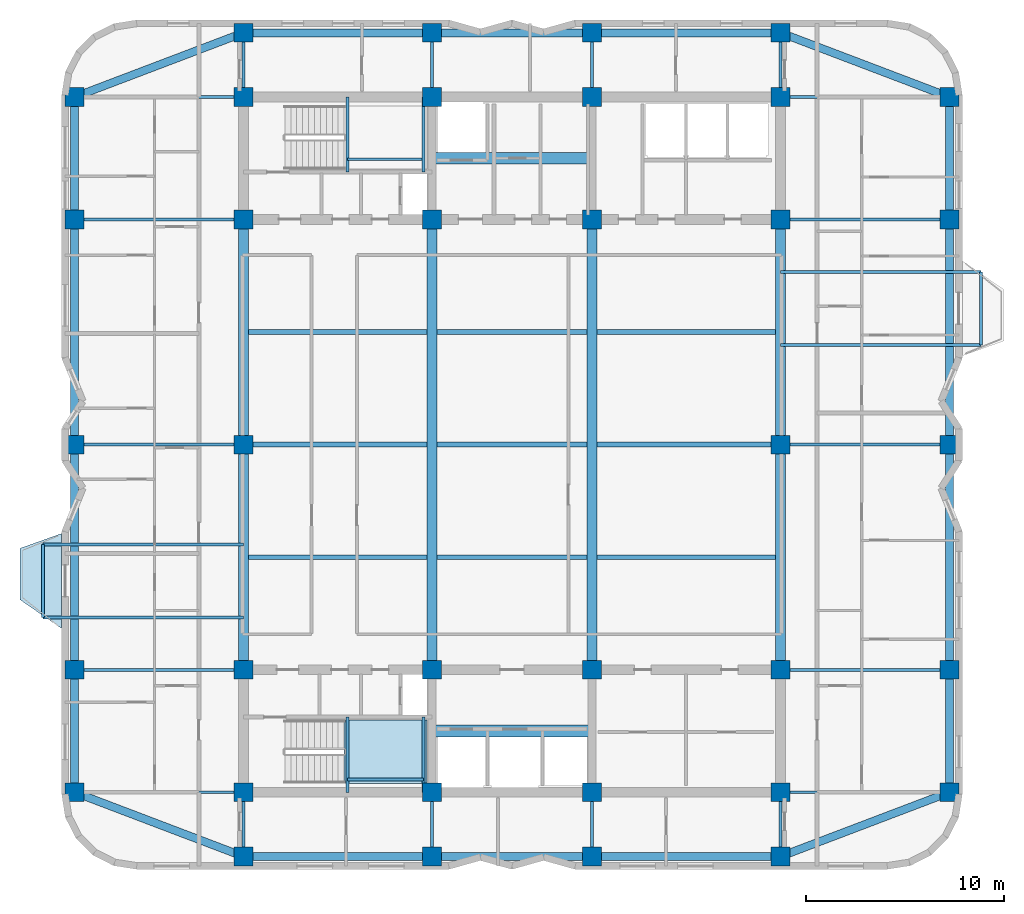
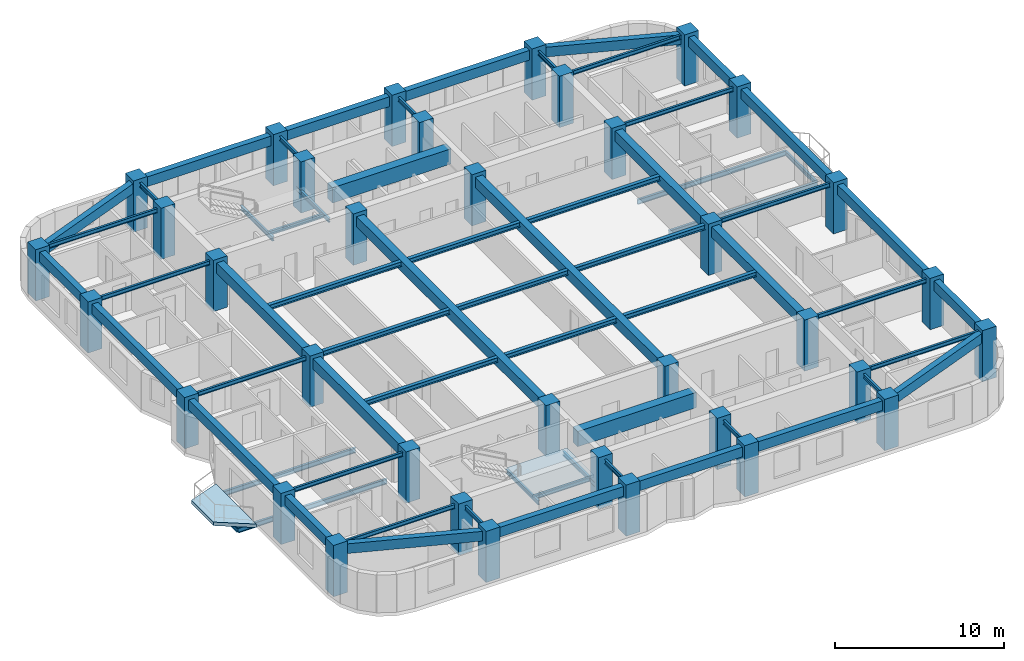
# One storey, part 1 of 9: 65 beams, 36 columns, 2 slabs, 1 element without a shape of its own.
"""IFC4 building model written with IfcOpenShell, lengths in metres."""

from ifc_helpers import new_model, si_unit, direction, frame, origin, origin_2d, place, context, subcontext, project, spatial, polyline, rectangle, i_section, outline, extrude, material, layer, layer_set, material_profile, profile_set, type_object, element, aggregate, save


model = new_model("IFC4")

# Units and contexts
model_context = context("Model", 3, precision=1e-05, world=origin(), true_north=direction((0.0, 1.0)))
body_context = subcontext(model_context, "Body", "Model", "MODEL_VIEW")
ifc_project = project(units=[si_unit("LENGTHUNIT", "METRE"), si_unit("AREAUNIT", "SQUARE_METRE"), si_unit("VOLUMEUNIT", "CUBIC_METRE"), si_unit("PLANEANGLEUNIT", "RADIAN"), si_unit("MASSUNIT", "GRAM", prefix="KILO")], contexts=[model_context])

# Site, building, storey
site_placement = place(None, origin())
site = spatial("IfcSite", under=ifc_project, at=site_placement, CompositionType="ELEMENT")
building_placement = place(site_placement, origin())
building = spatial("IfcBuilding", under=site, at=building_placement, Name="Svetorya Sky Lyceum", CompositionType="ELEMENT")
storey_placement = place(building_placement, frame((0.0, 0.0, 162.60009765625)))
storey = spatial("IfcBuildingStorey", under=building, at=storey_placement, Name="L40", CompositionType="ELEMENT", Elevation=162.60009765625)

# Columns
ifc_material_1 = material(Name="Concrete C50/60", Category="concrete")
ifc_material_profile_1 = material_profile(ifc_material_1, rectangle(XDim=0.949951171875, YDim=0.949951171875, at=origin_2d()), Name="RC COL 950x950")
ifc_profile_set_1 = profile_set([ifc_material_profile_1], Name="Concrete C50/60")
column_type = type_object("IfcColumnType", Name="COL-RC-950", PredefinedType="COLUMN", material=ifc_profile_set_1)
for number, where, z_axis, x_axis, name in (
    (1, (25.60009765625, 10.60009765625, 0.0), (0.0, 0.0, 1.0), (1.0, 0.0, 0.0), "L40 Core Column CS-11"),
    (2, (25.60009765625, 16.800048828125, 0.0), (0.0, 0.0, 1.0), (1.0, 0.0, 0.0), "L40 Core Column CS-12"),
    (3, (35.14990234375, 10.60009765625, 0.0), (0.0, 0.0, 1.0), (1.0, 0.0, 0.0), "L40 Core Column CS-21"),
    (4, (35.14990234375, 16.800048828125, 0.0), (0.0, 0.0, 1.0), (1.0, 0.0, 0.0), "L40 Core Column CS-22"),
    (5, (43.25, 10.60009765625, 0.0), (0.0, 0.0, 1.0), (1.0, 0.0, 0.0), "L40 Core Column CS-31"),
    (6, (43.25, 16.800048828125, 0.0), (0.0, 0.0, 1.0), (1.0, 0.0, 0.0), "L40 Core Column CS-32"),
    (7, (52.800048828125, 10.60009765625, 0.0), (0.0, 0.0, 1.0), (1.0, 0.0, 0.0), "L40 Core Column CS-41"),
    (8, (52.800048828125, 16.800048828125, 0.0), (0.0, 0.0, 1.0), (1.0, 0.0, 0.0), "L40 Core Column CS-42"),
    (9, (25.60009765625, 39.60009765625, 0.0), (0.0, 0.0, 1.0), (1.0, 0.0, 0.0), "L40 Core Column CN-11"),
    (10, (25.60009765625, 45.800048828125, 0.0), (0.0, 0.0, 1.0), (1.0, 0.0, 0.0), "L40 Core Column CN-12"),
    (11, (35.14990234375, 39.60009765625, 0.0), (0.0, 0.0, 1.0), (1.0, 0.0, 0.0), "L40 Core Column CN-21"),
    (12, (35.14990234375, 45.800048828125, 0.0), (0.0, 0.0, 1.0), (1.0, 0.0, 0.0), "L40 Core Column CN-22"),
    (13, (43.25, 39.60009765625, 0.0), (0.0, 0.0, 1.0), (1.0, 0.0, 0.0), "L40 Core Column CN-31"),
    (14, (43.25, 45.800048828125, 0.0), (0.0, 0.0, 1.0), (1.0, 0.0, 0.0), "L40 Core Column CN-32"),
    (15, (52.800048828125, 39.60009765625, 0.0), (0.0, 0.0, 1.0), (1.0, 0.0, 0.0), "L40 Core Column CN-41"),
    (16, (52.800048828125, 45.800048828125, 0.0), (0.0, 0.0, 1.0), (1.0, 0.0, 0.0), "L40 Core Column CN-42"),
    (17, (25.60009765625, 28.199951171875, 0.0), (0.0, 0.0, 1.0), (1.0, 0.0, 0.0), "L40 Core Column CM-W"),
    (18, (52.800048828125, 28.199951171875, 0.0), (0.0, 0.0, 1.0), (1.0, 0.0, 0.0), "L40 Core Column CM-E"),
    (19, (25.60009765625, 7.35009765625, 0.0), (0.0, 0.0, 1.0), (1.0, 0.0, 0.0), "L40 Perimeter Column S1"),
    (20, (25.60009765625, 49.050048828125, 0.0), (0.0, 0.0, 1.0), (1.0, 0.0, 0.0), "L40 Perimeter Column N1"),
    (21, (35.14990234375, 7.35009765625, 0.0), (0.0, 0.0, 1.0), (1.0, 0.0, 0.0), "L40 Perimeter Column S2"),
    (22, (35.14990234375, 49.050048828125, 0.0), (0.0, 0.0, 1.0), (1.0, 0.0, 0.0), "L40 Perimeter Column N2"),
    (23, (43.25, 7.35009765625, 0.0), (0.0, 0.0, 1.0), (1.0, 0.0, 0.0), "L40 Perimeter Column S3"),
    (24, (43.25, 49.050048828125, 0.0), (0.0, 0.0, 1.0), (1.0, 0.0, 0.0), "L40 Perimeter Column N3"),
    (25, (52.800048828125, 7.35009765625, 0.0), (0.0, 0.0, 1.0), (1.0, 0.0, 0.0), "L40 Perimeter Column S4"),
    (26, (52.800048828125, 49.050048828125, 0.0), (0.0, 0.0, 1.0), (1.0, 0.0, 0.0), "L40 Perimeter Column N4"),
    (27, (17.050048828125, 10.60009765625, 0.0), (0.0, 0.0, 1.0), (1.0, 0.0, 0.0), "L40 Perimeter Column W1"),
    (28, (61.35009765625, 10.60009765625, 0.0), (0.0, 0.0, 1.0), (1.0, 0.0, 0.0), "L40 Perimeter Column E1"),
    (29, (17.050048828125, 16.800048828125, 0.0), (0.0, 0.0, 1.0), (1.0, 0.0, 0.0), "L40 Perimeter Column W2"),
    (30, (61.35009765625, 16.800048828125, 0.0), (0.0, 0.0, 1.0), (1.0, 0.0, 0.0), "L40 Perimeter Column E2"),
    (31, (17.050048828125, 28.199951171875, 0.0), (0.0, 0.0, 1.0), (1.0, 0.0, 0.0), "L40 Perimeter Column W3"),
    (32, (61.35009765625, 28.199951171875, 0.0), (0.0, 0.0, 1.0), (1.0, 0.0, 0.0), "L40 Perimeter Column E3"),
    (33, (17.050048828125, 39.60009765625, 0.0), (0.0, 0.0, 1.0), (1.0, 0.0, 0.0), "L40 Perimeter Column W4"),
    (34, (61.35009765625, 39.60009765625, 0.0), (0.0, 0.0, 1.0), (1.0, 0.0, 0.0), "L40 Perimeter Column E4"),
    (35, (17.050048828125, 45.800048828125, 0.0), (0.0, 0.0, 1.0), (1.0, 0.0, 0.0), "L40 Perimeter Column W5"),
    (36, (61.35009765625, 45.800048828125, 0.0), (0.0, 0.0, 1.0), (1.0, 0.0, 0.0), "L40 Perimeter Column E5"),
):
    element("IfcColumn", number, at=place(storey_placement, frame(where, z_axis=z_axis, x_axis=x_axis)), inside=storey, type_object=column_type, Name=name, PredefinedType="COLUMN", context=body_context, shape_type="SweptSolid", body=[
        extrude(rectangle(XDim=0.949951171875, YDim=0.949951171875, at=origin_2d()), origin(), (0.0, 0.0, 1.0), 3.699951171875),
    ])

# Beams
ifc_material_2 = material(Name="Concrete C60/75", Category="concrete")
ifc_material_profile_2 = material_profile(ifc_material_2, rectangle(XDim=0.60009765625, YDim=1.10009765625, at=origin_2d()), Name="RC COUPLING 600x1100")
ifc_profile_set_2 = profile_set([ifc_material_profile_2], Name="Concrete C60/75")
beam_type_1 = type_object("IfcBeamType", Name="BM-CPL-1100", PredefinedType="LINTEL", material=ifc_profile_set_2)
for number, where, z_axis, x_axis, name in (
    (37, (35.14990234375, 13.699951171875, 2.889892578125), (1.0, 0.0, 0.0), (0.0, 1.0, 0.0), "L40 SC Core Coupling Beam"),
    (38, (35.14990234375, 42.699951171875, 2.889892578125), (1.0, 0.0, 0.0), (0.0, 1.0, 0.0), "L40 NC Core Coupling Beam"),
):
    element("IfcBeam", number, at=place(storey_placement, frame(where, z_axis=z_axis, x_axis=x_axis)), inside=storey, type_object=beam_type_1, Name=name, PredefinedType="LINTEL", context=body_context, shape_type="SweptSolid", body=[
        extrude(rectangle(XDim=0.60009765625, YDim=1.10009765625, at=origin_2d()), origin(), (0.0, 0.0, 1.0), 8.10009765625),
    ])
ifc_material_profile_3 = material_profile(ifc_material_1, rectangle(XDim=0.5, YDim=0.75, at=origin_2d()), Name="RC BEAM 500x750")
ifc_profile_set_3 = profile_set([ifc_material_profile_3], Name="Concrete C50/60")
beam_type_2 = type_object("IfcBeamType", Name="BM-RC-750", PredefinedType="BEAM", material=ifc_profile_set_3)
beam_1_placement = place(storey_placement, frame((25.60009765625, 16.800048828125, 3.06494140625), z_axis=(0.0, 1.0, 0.0), x_axis=(-1.0, 0.0, 0.0)))
element("IfcBeam", 39, at=beam_1_placement, inside=storey, type_object=beam_type_2, Name="L40 Central Bay Primary Girder CG-1A", PredefinedType="BEAM", context=body_context, shape_type="SweptSolid", body=[
    extrude(rectangle(XDim=0.5, YDim=0.75, at=origin_2d()), origin(), (0.0, 0.0, 1.0), 11.39990234375),
])
beam_2_placement = place(storey_placement, frame((25.60009765625, 28.199951171875, 3.06494140625), z_axis=(0.0, 1.0, 0.0), x_axis=(-1.0, 0.0, 0.0)))
element("IfcBeam", 40, at=beam_2_placement, inside=storey, type_object=beam_type_2, Name="L40 Central Bay Primary Girder CG-1B", PredefinedType="BEAM", context=body_context, shape_type="SweptSolid", body=[
    extrude(rectangle(XDim=0.5, YDim=0.75, at=origin_2d()), origin(), (0.0, 0.0, 1.0), 11.400146484375),
])
for number, where, z_axis, x_axis, name in (
    (41, (35.14990234375, 16.800048828125, 3.06494140625), (0.0, 1.0, 0.0), (-1.0, 0.0, 0.0), "L40 Central Bay Primary Girder CG-2"),
    (42, (43.25, 16.800048828125, 3.06494140625), (0.0, 1.0, 0.0), (-1.0, 0.0, 0.0), "L40 Central Bay Primary Girder CG-3"),
):
    element("IfcBeam", number, at=place(storey_placement, frame(where, z_axis=z_axis, x_axis=x_axis)), inside=storey, type_object=beam_type_2, Name=name, PredefinedType="BEAM", context=body_context, shape_type="SweptSolid", body=[
        extrude(rectangle(XDim=0.5, YDim=0.75, at=origin_2d()), origin(), (0.0, 0.0, 1.0), 22.800048828125),
    ])
beam_3_placement = place(storey_placement, frame((52.800048828125, 16.800048828125, 3.06494140625), z_axis=(0.0, 1.0, 0.0), x_axis=(-1.0, 0.0, 0.0)))
element("IfcBeam", 43, at=beam_3_placement, inside=storey, type_object=beam_type_2, Name="L40 Central Bay Primary Girder CG-4A", PredefinedType="BEAM", context=body_context, shape_type="SweptSolid", body=[
    extrude(rectangle(XDim=0.5, YDim=0.75, at=origin_2d()), origin(), (0.0, 0.0, 1.0), 11.39990234375),
])
beam_4_placement = place(storey_placement, frame((52.800048828125, 28.199951171875, 3.06494140625), z_axis=(0.0, 1.0, 0.0), x_axis=(-1.0, 0.0, 0.0)))
element("IfcBeam", 44, at=beam_4_placement, inside=storey, type_object=beam_type_2, Name="L40 Central Bay Primary Girder CG-4B", PredefinedType="BEAM", context=body_context, shape_type="SweptSolid", body=[
    extrude(rectangle(XDim=0.5, YDim=0.75, at=origin_2d()), origin(), (0.0, 0.0, 1.0), 11.400146484375),
])
ifc_material_profile_4 = material_profile(ifc_material_1, rectangle(XDim=0.39990234375, YDim=0.699951171875, at=origin_2d()), Name="RC SPANDREL 400x700")
ifc_profile_set_4 = profile_set([ifc_material_profile_4], Name="Concrete C50/60")
beam_type_3 = type_object("IfcBeamType", Name="BM-SPN-700", PredefinedType="SPANDREL", material=ifc_profile_set_4)
beam_5_placement = place(storey_placement, frame((25.60009765625, 7.35009765625, 3.08984375), z_axis=(1.0, 0.0, 0.0), x_axis=(0.0, 1.0, 0.0)))
element("IfcBeam", 45, at=beam_5_placement, inside=storey, type_object=beam_type_3, Name="L40 South Spandrel 1", PredefinedType="SPANDREL", context=body_context, shape_type="SweptSolid", body=[
    extrude(rectangle(XDim=0.39990234375, YDim=0.699951171875, at=origin_2d()), origin(), (0.0, 0.0, 1.0), 9.5498046875),
])
beam_6_placement = place(storey_placement, frame((35.14990234375, 7.35009765625, 3.08984375), z_axis=(1.0, 0.0, 0.0), x_axis=(0.0, 1.0, 0.0)))
element("IfcBeam", 46, at=beam_6_placement, inside=storey, type_object=beam_type_3, Name="L40 South Spandrel 2", PredefinedType="SPANDREL", context=body_context, shape_type="SweptSolid", body=[
    extrude(rectangle(XDim=0.39990234375, YDim=0.699951171875, at=origin_2d()), origin(), (0.0, 0.0, 1.0), 8.10009765625),
])
beam_7_placement = place(storey_placement, frame((43.25, 7.35009765625, 3.08984375), z_axis=(1.0, 0.0, 0.0), x_axis=(0.0, 1.0, 0.0)))
element("IfcBeam", 47, at=beam_7_placement, inside=storey, type_object=beam_type_3, Name="L40 South Spandrel 3", PredefinedType="SPANDREL", context=body_context, shape_type="SweptSolid", body=[
    extrude(rectangle(XDim=0.39990234375, YDim=0.699951171875, at=origin_2d()), origin(), (0.0, 0.0, 1.0), 9.550048828125),
])
beam_8_placement = place(storey_placement, frame((25.60009765625, 49.050048828125, 3.08984375), z_axis=(1.0, 0.0, 0.0), x_axis=(0.0, 1.0, 0.0)))
element("IfcBeam", 48, at=beam_8_placement, inside=storey, type_object=beam_type_3, Name="L40 North Spandrel 1", PredefinedType="SPANDREL", context=body_context, shape_type="SweptSolid", body=[
    extrude(rectangle(XDim=0.39990234375, YDim=0.699951171875, at=origin_2d()), origin(), (0.0, 0.0, 1.0), 9.5498046875),
])
beam_9_placement = place(storey_placement, frame((35.14990234375, 49.050048828125, 3.08984375), z_axis=(1.0, 0.0, 0.0), x_axis=(0.0, 1.0, 0.0)))
element("IfcBeam", 49, at=beam_9_placement, inside=storey, type_object=beam_type_3, Name="L40 North Spandrel 2", PredefinedType="SPANDREL", context=body_context, shape_type="SweptSolid", body=[
    extrude(rectangle(XDim=0.39990234375, YDim=0.699951171875, at=origin_2d()), origin(), (0.0, 0.0, 1.0), 8.10009765625),
])
beam_10_placement = place(storey_placement, frame((43.25, 49.050048828125, 3.08984375), z_axis=(1.0, 0.0, 0.0), x_axis=(0.0, 1.0, 0.0)))
element("IfcBeam", 50, at=beam_10_placement, inside=storey, type_object=beam_type_3, Name="L40 North Spandrel 3", PredefinedType="SPANDREL", context=body_context, shape_type="SweptSolid", body=[
    extrude(rectangle(XDim=0.39990234375, YDim=0.699951171875, at=origin_2d()), origin(), (0.0, 0.0, 1.0), 9.550048828125),
])
for number, where, z_axis, x_axis, name in (
    (51, (25.60009765625, 7.35009765625, 3.08984375), (-0.934747947367, 0.355311518099, 0.0), (-0.355311518099, -0.934747947367, 0.0), "L40 Corner Spandrel 1"),
    (52, (52.800048828125, 7.35009765625, 3.08984375), (0.934747947367, 0.355311518099, 0.0), (-0.355311518099, 0.934747947367, 0.0), "L40 Corner Spandrel 2"),
    (53, (61.35009765625, 45.800048828125, 3.08984375), (-0.934747947367, 0.355311518099, 0.0), (-0.355311518099, -0.934747947367, 0.0), "L40 Corner Spandrel 3"),
    (54, (17.050048828125, 45.800048828125, 3.08984375), (0.934747947367, 0.355311518099, 0.0), (-0.355311518099, 0.934747947367, 0.0), "L40 Corner Spandrel 4"),
):
    element("IfcBeam", number, at=place(storey_placement, frame(where, z_axis=z_axis, x_axis=x_axis)), inside=storey, type_object=beam_type_3, Name=name, PredefinedType="SPANDREL", context=body_context, shape_type="SweptSolid", body=[
        extrude(rectangle(XDim=0.39990234375, YDim=0.699951171875, at=origin_2d()), origin(), (0.0, 0.0, 1.0), 9.14697265625),
    ])
beam_11_placement = place(storey_placement, frame((17.050048828125, 10.60009765625, 3.08984375), z_axis=(0.0, 1.0, 0.0), x_axis=(-1.0, 0.0, 0.0)))
element("IfcBeam", 55, at=beam_11_placement, inside=storey, type_object=beam_type_3, Name="L40 West Spandrel 1", PredefinedType="SPANDREL", context=body_context, shape_type="SweptSolid", body=[
    extrude(rectangle(XDim=0.39990234375, YDim=0.699951171875, at=origin_2d()), origin(), (0.0, 0.0, 1.0), 6.199951171875),
])
beam_12_placement = place(storey_placement, frame((17.050048828125, 16.800048828125, 3.08984375), z_axis=(0.0, 1.0, 0.0), x_axis=(-1.0, 0.0, 0.0)))
element("IfcBeam", 56, at=beam_12_placement, inside=storey, type_object=beam_type_3, Name="L40 West Spandrel 2", PredefinedType="SPANDREL", context=body_context, shape_type="SweptSolid", body=[
    extrude(rectangle(XDim=0.39990234375, YDim=0.699951171875, at=origin_2d()), origin(), (0.0, 0.0, 1.0), 11.39990234375),
])
beam_13_placement = place(storey_placement, frame((17.050048828125, 28.199951171875, 3.08984375), z_axis=(0.0, 1.0, 0.0), x_axis=(-1.0, 0.0, 0.0)))
element("IfcBeam", 57, at=beam_13_placement, inside=storey, type_object=beam_type_3, Name="L40 West Spandrel 3", PredefinedType="SPANDREL", context=body_context, shape_type="SweptSolid", body=[
    extrude(rectangle(XDim=0.39990234375, YDim=0.699951171875, at=origin_2d()), origin(), (0.0, 0.0, 1.0), 11.400146484375),
])
for number, where, z_axis, x_axis, name in (
    (58, (17.050048828125, 39.60009765625, 3.08984375), (0.0, 1.0, 0.0), (-1.0, 0.0, 0.0), "L40 West Spandrel 4"),
    (59, (61.35009765625, 10.60009765625, 3.08984375), (0.0, 1.0, 0.0), (-1.0, 0.0, 0.0), "L40 East Spandrel 1"),
):
    element("IfcBeam", number, at=place(storey_placement, frame(where, z_axis=z_axis, x_axis=x_axis)), inside=storey, type_object=beam_type_3, Name=name, PredefinedType="SPANDREL", context=body_context, shape_type="SweptSolid", body=[
        extrude(rectangle(XDim=0.39990234375, YDim=0.699951171875, at=origin_2d()), origin(), (0.0, 0.0, 1.0), 6.199951171875),
    ])
beam_14_placement = place(storey_placement, frame((61.35009765625, 16.800048828125, 3.08984375), z_axis=(0.0, 1.0, 0.0), x_axis=(-1.0, 0.0, 0.0)))
element("IfcBeam", 60, at=beam_14_placement, inside=storey, type_object=beam_type_3, Name="L40 East Spandrel 2", PredefinedType="SPANDREL", context=body_context, shape_type="SweptSolid", body=[
    extrude(rectangle(XDim=0.39990234375, YDim=0.699951171875, at=origin_2d()), origin(), (0.0, 0.0, 1.0), 11.39990234375),
])
beam_15_placement = place(storey_placement, frame((61.35009765625, 28.199951171875, 3.08984375), z_axis=(0.0, 1.0, 0.0), x_axis=(-1.0, 0.0, 0.0)))
element("IfcBeam", 61, at=beam_15_placement, inside=storey, type_object=beam_type_3, Name="L40 East Spandrel 3", PredefinedType="SPANDREL", context=body_context, shape_type="SweptSolid", body=[
    extrude(rectangle(XDim=0.39990234375, YDim=0.699951171875, at=origin_2d()), origin(), (0.0, 0.0, 1.0), 11.400146484375),
])
beam_16_placement = place(storey_placement, frame((61.35009765625, 39.60009765625, 3.08984375), z_axis=(0.0, 1.0, 0.0), x_axis=(-1.0, 0.0, 0.0)))
element("IfcBeam", 62, at=beam_16_placement, inside=storey, type_object=beam_type_3, Name="L40 East Spandrel 4", PredefinedType="SPANDREL", context=body_context, shape_type="SweptSolid", body=[
    extrude(rectangle(XDim=0.39990234375, YDim=0.699951171875, at=origin_2d()), origin(), (0.0, 0.0, 1.0), 6.199951171875),
])
ifc_material_3 = material(Name="Steel S355", Category="steel")
ifc_material_profile_5 = material_profile(ifc_material_3, i_section(OverallWidth=0.14990234375, OverallDepth=0.299072265625, WebThickness=0.006591796875, FlangeThickness=0.010498046875, at=origin_2d()), Name="GOST 30B2")
ifc_profile_set_5 = profile_set([ifc_material_profile_5], Name="Steel S355")
beam_type_4 = type_object("IfcBeamType", Name="BM-STL-30B2", PredefinedType="JOIST", material=ifc_profile_set_5)
for number, where, z_axis, x_axis, name in (
    (63, (15.449951171875, 19.449951171875, -0.4345703125), (0.0, 1.0, 0.0), (-1.0, 0.0, 0.0), "L40 Balcony Edge Tie BAL-W1"),
    (64, (62.949951171875, 33.25, -0.4345703125), (0.0, 1.0, 0.0), (-1.0, 0.0, 0.0), "L40 Balcony Edge Tie BAL-E1"),
):
    element("IfcBeam", number, at=place(storey_placement, frame(where, z_axis=z_axis, x_axis=x_axis)), inside=storey, type_object=beam_type_4, Name=name, PredefinedType="JOIST", context=body_context, shape_type="SweptSolid", body=[
        extrude(i_section(OverallWidth=0.14990234375, OverallDepth=0.299072265625, WebThickness=0.006591796875, FlangeThickness=0.010498046875, at=origin_2d()), origin(), (0.0, 0.0, 1.0), 3.699951171875),
    ])
for number, where, z_axis, x_axis, name in (
    (65, (17.050048828125, 10.60009765625, 3.290283203125), (1.0, 0.0, 0.0), (0.0, 1.0, 0.0), "L40 West Wing Floor Joist W1"),
    (66, (52.800048828125, 10.60009765625, 3.290283203125), (1.0, 0.0, 0.0), (0.0, 1.0, 0.0), "L40 East Wing Floor Joist E1"),
    (67, (17.050048828125, 16.800048828125, 3.290283203125), (1.0, 0.0, 0.0), (0.0, 1.0, 0.0), "L40 West Wing Floor Joist W2"),
    (68, (52.800048828125, 16.800048828125, 3.290283203125), (1.0, 0.0, 0.0), (0.0, 1.0, 0.0), "L40 East Wing Floor Joist E2"),
    (69, (17.050048828125, 28.199951171875, 3.290283203125), (1.0, 0.0, 0.0), (0.0, 1.0, 0.0), "L40 West Wing Floor Joist W3"),
    (70, (52.800048828125, 28.199951171875, 3.290283203125), (1.0, 0.0, 0.0), (0.0, 1.0, 0.0), "L40 East Wing Floor Joist E3"),
    (71, (17.050048828125, 39.60009765625, 3.290283203125), (1.0, 0.0, 0.0), (0.0, 1.0, 0.0), "L40 West Wing Floor Joist W4"),
    (72, (52.800048828125, 39.60009765625, 3.290283203125), (1.0, 0.0, 0.0), (0.0, 1.0, 0.0), "L40 East Wing Floor Joist E4"),
    (73, (17.050048828125, 45.800048828125, 3.290283203125), (1.0, 0.0, 0.0), (0.0, 1.0, 0.0), "L40 West Wing Floor Joist W5"),
    (74, (52.800048828125, 45.800048828125, 3.290283203125), (1.0, 0.0, 0.0), (0.0, 1.0, 0.0), "L40 East Wing Floor Joist E5"),
):
    element("IfcBeam", number, at=place(storey_placement, frame(where, z_axis=z_axis, x_axis=x_axis)), inside=storey, type_object=beam_type_4, Name=name, PredefinedType="JOIST", context=body_context, shape_type="SweptSolid", body=[
        extrude(i_section(OverallWidth=0.14990234375, OverallDepth=0.299072265625, WebThickness=0.006591796875, FlangeThickness=0.010498046875, at=origin_2d()), origin(), (0.0, 0.0, 1.0), 8.550048828125),
    ])
for number, where, z_axis, x_axis, name in (
    (75, (25.60009765625, 7.35009765625, 3.290283203125), (0.0, 1.0, 0.0), (-1.0, 0.0, 0.0), "L40 South Bay Floor Girder S1"),
    (76, (25.60009765625, 45.800048828125, 3.290283203125), (0.0, 1.0, 0.0), (-1.0, 0.0, 0.0), "L40 North Bay Floor Girder N1"),
    (77, (35.14990234375, 7.35009765625, 3.290283203125), (0.0, 1.0, 0.0), (-1.0, 0.0, 0.0), "L40 South Bay Floor Girder S2"),
    (78, (35.14990234375, 45.800048828125, 3.290283203125), (0.0, 1.0, 0.0), (-1.0, 0.0, 0.0), "L40 North Bay Floor Girder N2"),
    (79, (43.25, 7.35009765625, 3.290283203125), (0.0, 1.0, 0.0), (-1.0, 0.0, 0.0), "L40 South Bay Floor Girder S3"),
    (80, (43.25, 45.800048828125, 3.290283203125), (0.0, 1.0, 0.0), (-1.0, 0.0, 0.0), "L40 North Bay Floor Girder N3"),
    (81, (52.800048828125, 7.35009765625, 3.290283203125), (0.0, 1.0, 0.0), (-1.0, 0.0, 0.0), "L40 South Bay Floor Girder S4"),
    (82, (52.800048828125, 45.800048828125, 3.290283203125), (0.0, 1.0, 0.0), (-1.0, 0.0, 0.0), "L40 North Bay Floor Girder N4"),
):
    element("IfcBeam", number, at=place(storey_placement, frame(where, z_axis=z_axis, x_axis=x_axis)), inside=storey, type_object=beam_type_4, Name=name, PredefinedType="JOIST", context=body_context, shape_type="SweptSolid", body=[
        extrude(i_section(OverallWidth=0.14990234375, OverallDepth=0.299072265625, WebThickness=0.006591796875, FlangeThickness=0.010498046875, at=origin_2d()), origin(), (0.0, 0.0, 1.0), 3.25),
    ])
for number, where, z_axis, x_axis, name in (
    (83, (30.8798828125, 10.60009765625, 1.50048828125), (0.0, 1.0, 0.0), (-1.0, 0.0, 0.0), "L40 Stair ST-S Half-Landing Support Beam 46.1"),
    (84, (34.719970703125, 10.60009765625, 1.50048828125), (0.0, 1.0, 0.0), (-1.0, 0.0, 0.0), "L40 Stair ST-S Half-Landing Support Beam 46.2"),
):
    element("IfcBeam", number, at=place(storey_placement, frame(where, z_axis=z_axis, x_axis=x_axis)), inside=storey, type_object=beam_type_4, Name=name, PredefinedType="JOIST", context=body_context, shape_type="SweptSolid", body=[
        extrude(i_section(OverallWidth=0.14990234375, OverallDepth=0.299072265625, WebThickness=0.006591796875, FlangeThickness=0.010498046875, at=origin_2d()), origin(), (0.0, 0.0, 1.0), 3.7998046875),
    ])
beam_17_placement = place(storey_placement, frame((30.8798828125, 11.25, 1.50048828125), z_axis=(1.0, 0.0, 0.0), x_axis=(0.0, 1.0, 0.0)))
element("IfcBeam", 85, at=beam_17_placement, inside=storey, type_object=beam_type_4, Name="L40 Stair ST-S Half-Landing Cross Tie 46", PredefinedType="JOIST", context=body_context, shape_type="SweptSolid", body=[
    extrude(i_section(OverallWidth=0.14990234375, OverallDepth=0.299072265625, WebThickness=0.006591796875, FlangeThickness=0.010498046875, at=origin_2d()), origin(), (0.0, 0.0, 1.0), 3.840087890625),
])
for number, where, z_axis, x_axis, name in (
    (86, (30.8798828125, 42.0, 1.50048828125), (0.0, 1.0, 0.0), (-1.0, 0.0, 0.0), "L40 Stair ST-N Half-Landing Support Beam 46.1"),
    (87, (34.719970703125, 42.0, 1.50048828125), (0.0, 1.0, 0.0), (-1.0, 0.0, 0.0), "L40 Stair ST-N Half-Landing Support Beam 46.2"),
):
    element("IfcBeam", number, at=place(storey_placement, frame(where, z_axis=z_axis, x_axis=x_axis)), inside=storey, type_object=beam_type_4, Name=name, PredefinedType="JOIST", context=body_context, shape_type="SweptSolid", body=[
        extrude(i_section(OverallWidth=0.14990234375, OverallDepth=0.299072265625, WebThickness=0.006591796875, FlangeThickness=0.010498046875, at=origin_2d()), origin(), (0.0, 0.0, 1.0), 3.800048828125),
    ])
beam_18_placement = place(storey_placement, frame((30.8798828125, 42.64990234375, 1.50048828125), z_axis=(1.0, 0.0, 0.0), x_axis=(0.0, 1.0, 0.0)))
element("IfcBeam", 88, at=beam_18_placement, inside=storey, type_object=beam_type_4, Name="L40 Stair ST-N Half-Landing Cross Tie 46", PredefinedType="JOIST", context=body_context, shape_type="SweptSolid", body=[
    extrude(i_section(OverallWidth=0.14990234375, OverallDepth=0.299072265625, WebThickness=0.006591796875, FlangeThickness=0.010498046875, at=origin_2d()), origin(), (0.0, 0.0, 1.0), 3.840087890625),
])
ifc_material_profile_6 = material_profile(ifc_material_3, i_section(OverallWidth=0.155029296875, OverallDepth=0.34912109375, WebThickness=0.007080078125, FlangeThickness=0.011474609375, at=origin_2d()), Name="GOST 35B2")
ifc_profile_set_6 = profile_set([ifc_material_profile_6], Name="Steel S355")
beam_type_5 = type_object("IfcBeamType", Name="BM-STL-35B2", PredefinedType="JOIST", material=ifc_profile_set_6)
for number, where, z_axis, x_axis, name in (
    (89, (25.60009765625, 19.449951171875, -0.4345703125), (-1.0, 0.0, 0.0), (0.0, -1.0, 0.0), "L40 Balcony Cantilever Beam BAL-W1-1"),
    (90, (25.60009765625, 23.14990234375, -0.4345703125), (-1.0, 0.0, 0.0), (0.0, -1.0, 0.0), "L40 Balcony Cantilever Beam BAL-W1-2"),
):
    element("IfcBeam", number, at=place(storey_placement, frame(where, z_axis=z_axis, x_axis=x_axis)), inside=storey, type_object=beam_type_5, Name=name, PredefinedType="JOIST", context=body_context, shape_type="SweptSolid", body=[
        extrude(i_section(OverallWidth=0.155029296875, OverallDepth=0.34912109375, WebThickness=0.007080078125, FlangeThickness=0.011474609375, at=origin_2d()), origin(), (0.0, 0.0, 1.0), 10.150146484375),
    ])
for number, where, z_axis, x_axis, name in (
    (91, (52.800048828125, 33.25, -0.4345703125), (1.0, 0.0, 0.0), (0.0, 1.0, 0.0), "L40 Balcony Cantilever Beam BAL-E1-1"),
    (92, (52.800048828125, 36.949951171875, -0.4345703125), (1.0, 0.0, 0.0), (0.0, 1.0, 0.0), "L40 Balcony Cantilever Beam BAL-E1-2"),
):
    element("IfcBeam", number, at=place(storey_placement, frame(where, z_axis=z_axis, x_axis=x_axis)), inside=storey, type_object=beam_type_5, Name=name, PredefinedType="JOIST", context=body_context, shape_type="SweptSolid", body=[
        extrude(i_section(OverallWidth=0.155029296875, OverallDepth=0.34912109375, WebThickness=0.007080078125, FlangeThickness=0.011474609375, at=origin_2d()), origin(), (0.0, 0.0, 1.0), 10.14990234375),
    ])
ifc_material_profile_7 = material_profile(ifc_material_3, i_section(OverallWidth=0.25, OverallDepth=0.345947265625, WebThickness=0.009521484375, FlangeThickness=0.014404296875, at=origin_2d()), Name="GOST 35Sh2")
ifc_profile_set_7 = profile_set([ifc_material_profile_7], Name="Steel S355")
beam_type_6 = type_object("IfcBeamType", Name="BM-STL-35SH2", PredefinedType="BEAM", material=ifc_profile_set_7)
beam_19_placement = place(storey_placement, frame((25.85009765625, 22.5, 3.266845703125), z_axis=(1.0, 0.0, 0.0), x_axis=(0.0, 1.0, 0.0)))
element("IfcBeam", 93, at=beam_19_placement, inside=storey, type_object=beam_type_6, Name="L40 Central Floor Joist CJ-1.1", PredefinedType="BEAM", context=body_context, shape_type="SweptSolid", body=[
    extrude(i_section(OverallWidth=0.25, OverallDepth=0.345947265625, WebThickness=0.009521484375, FlangeThickness=0.014404296875, at=origin_2d()), origin(), (0.0, 0.0, 1.0), 9.0498046875),
])
beam_20_placement = place(storey_placement, frame((35.39990234375, 22.5, 3.266845703125), z_axis=(1.0, 0.0, 0.0), x_axis=(0.0, 1.0, 0.0)))
element("IfcBeam", 94, at=beam_20_placement, inside=storey, type_object=beam_type_6, Name="L40 Central Floor Joist CJ-1.2", PredefinedType="BEAM", context=body_context, shape_type="SweptSolid", body=[
    extrude(i_section(OverallWidth=0.25, OverallDepth=0.345947265625, WebThickness=0.009521484375, FlangeThickness=0.014404296875, at=origin_2d()), origin(), (0.0, 0.0, 1.0), 7.60009765625),
])
beam_21_placement = place(storey_placement, frame((43.5, 22.5, 3.266845703125), z_axis=(1.0, 0.0, 0.0), x_axis=(0.0, 1.0, 0.0)))
element("IfcBeam", 95, at=beam_21_placement, inside=storey, type_object=beam_type_6, Name="L40 Central Floor Joist CJ-1.3", PredefinedType="BEAM", context=body_context, shape_type="SweptSolid", body=[
    extrude(i_section(OverallWidth=0.25, OverallDepth=0.345947265625, WebThickness=0.009521484375, FlangeThickness=0.014404296875, at=origin_2d()), origin(), (0.0, 0.0, 1.0), 9.050048828125),
])
beam_22_placement = place(storey_placement, frame((25.85009765625, 28.199951171875, 3.266845703125), z_axis=(1.0, 0.0, 0.0), x_axis=(0.0, 1.0, 0.0)))
element("IfcBeam", 96, at=beam_22_placement, inside=storey, type_object=beam_type_6, Name="L40 Central Floor Joist CJ-2.1", PredefinedType="BEAM", context=body_context, shape_type="SweptSolid", body=[
    extrude(i_section(OverallWidth=0.25, OverallDepth=0.345947265625, WebThickness=0.009521484375, FlangeThickness=0.014404296875, at=origin_2d()), origin(), (0.0, 0.0, 1.0), 9.0498046875),
])
beam_23_placement = place(storey_placement, frame((35.39990234375, 28.199951171875, 3.266845703125), z_axis=(1.0, 0.0, 0.0), x_axis=(0.0, 1.0, 0.0)))
element("IfcBeam", 97, at=beam_23_placement, inside=storey, type_object=beam_type_6, Name="L40 Central Floor Joist CJ-2.2", PredefinedType="BEAM", context=body_context, shape_type="SweptSolid", body=[
    extrude(i_section(OverallWidth=0.25, OverallDepth=0.345947265625, WebThickness=0.009521484375, FlangeThickness=0.014404296875, at=origin_2d()), origin(), (0.0, 0.0, 1.0), 7.60009765625),
])
beam_24_placement = place(storey_placement, frame((43.5, 28.199951171875, 3.266845703125), z_axis=(1.0, 0.0, 0.0), x_axis=(0.0, 1.0, 0.0)))
element("IfcBeam", 98, at=beam_24_placement, inside=storey, type_object=beam_type_6, Name="L40 Central Floor Joist CJ-2.3", PredefinedType="BEAM", context=body_context, shape_type="SweptSolid", body=[
    extrude(i_section(OverallWidth=0.25, OverallDepth=0.345947265625, WebThickness=0.009521484375, FlangeThickness=0.014404296875, at=origin_2d()), origin(), (0.0, 0.0, 1.0), 9.050048828125),
])
beam_25_placement = place(storey_placement, frame((25.85009765625, 33.89990234375, 3.266845703125), z_axis=(1.0, 0.0, 0.0), x_axis=(0.0, 1.0, 0.0)))
element("IfcBeam", 99, at=beam_25_placement, inside=storey, type_object=beam_type_6, Name="L40 Central Floor Joist CJ-3.1", PredefinedType="BEAM", context=body_context, shape_type="SweptSolid", body=[
    extrude(i_section(OverallWidth=0.25, OverallDepth=0.345947265625, WebThickness=0.009521484375, FlangeThickness=0.014404296875, at=origin_2d()), origin(), (0.0, 0.0, 1.0), 9.0498046875),
])
beam_26_placement = place(storey_placement, frame((35.39990234375, 33.89990234375, 3.266845703125), z_axis=(1.0, 0.0, 0.0), x_axis=(0.0, 1.0, 0.0)))
element("IfcBeam", 100, at=beam_26_placement, inside=storey, type_object=beam_type_6, Name="L40 Central Floor Joist CJ-3.2", PredefinedType="BEAM", context=body_context, shape_type="SweptSolid", body=[
    extrude(i_section(OverallWidth=0.25, OverallDepth=0.345947265625, WebThickness=0.009521484375, FlangeThickness=0.014404296875, at=origin_2d()), origin(), (0.0, 0.0, 1.0), 7.60009765625),
])
beam_27_placement = place(storey_placement, frame((43.5, 33.89990234375, 3.266845703125), z_axis=(1.0, 0.0, 0.0), x_axis=(0.0, 1.0, 0.0)))
element("IfcBeam", 101, at=beam_27_placement, inside=storey, type_object=beam_type_6, Name="L40 Central Floor Joist CJ-3.3", PredefinedType="BEAM", context=body_context, shape_type="SweptSolid", body=[
    extrude(i_section(OverallWidth=0.25, OverallDepth=0.345947265625, WebThickness=0.009521484375, FlangeThickness=0.014404296875, at=origin_2d()), origin(), (0.0, 0.0, 1.0), 9.050048828125),
])

# Slab
ifc_material_4 = material(Name="Concrete C40/50", Category="concrete")
ifc_layer_1 = layer(ifc_material_4, 0.260009765625)
ifc_layer_set_1 = layer_set([ifc_layer_1], Name="Concrete C40/50")
slab_type_1 = type_object("IfcSlabType", Name="SL-BAL-260", PredefinedType="FLOOR", material=ifc_layer_set_1)
slab_1_placement = place(storey_placement, frame((0.0, 0.0, -0.260009765625)))
element("IfcSlab", 102, at=slab_1_placement, inside=storey, type_object=slab_type_1, Name="L40 Chamfered Loggia Balcony BAL-W1", PredefinedType="FLOOR", context=body_context, shape_type="SweptSolid", body=[
    extrude(outline(polyline([(16.389892578125, 18.89990234375), (16.389892578125, 23.699951171875), (14.2900390625, 22.949951171875), (14.2900390625, 20.35009765625), (16.389892578125, 18.89990234375)])), origin(), (0.0, 0.0, 1.0), 0.260009765625),
])

# Stair, slab
stair_type = type_object("IfcStairType", Name="STR-ST-S", PredefinedType="HALF_TURN_STAIR", material=ifc_material_4)
stair_placement = place(storey_placement, origin())
stair = element("IfcStair", 103, at=stair_placement, inside=storey, type_object=stair_type, Name="L40 South Core Smoke-Free Exit Stair N2", PredefinedType="HALF_TURN_STAIR")
ifc_layer_2 = layer(ifc_material_4, 0.199951171875)
ifc_layer_set_2 = layer_set([ifc_layer_2], Name="Concrete C40/50")
slab_type_2 = type_object("IfcSlabType", Name="SL-STR-LAND-200", PredefinedType="LANDING", material=ifc_layer_set_2)
slab_2_placement = place(storey_placement, frame((0.0, 0.0, 1.64990234375)))
slab_2 = element("IfcSlab", 104, at=slab_2_placement, type_object=slab_type_2, Name="ST-S landing 1", PredefinedType="LANDING", context=body_context, shape_type="SweptSolid", body=[
    extrude(outline(polyline([(30.699951171875, 11.050048828125), (34.89990234375, 11.050048828125), (34.89990234375, 14.25), (30.699951171875, 14.25), (30.699951171875, 11.050048828125)])), origin(), (0.0, 0.0, 1.0), 0.199951171875),
])
aggregate(stair, [slab_2])

save(model, "model.ifc")
